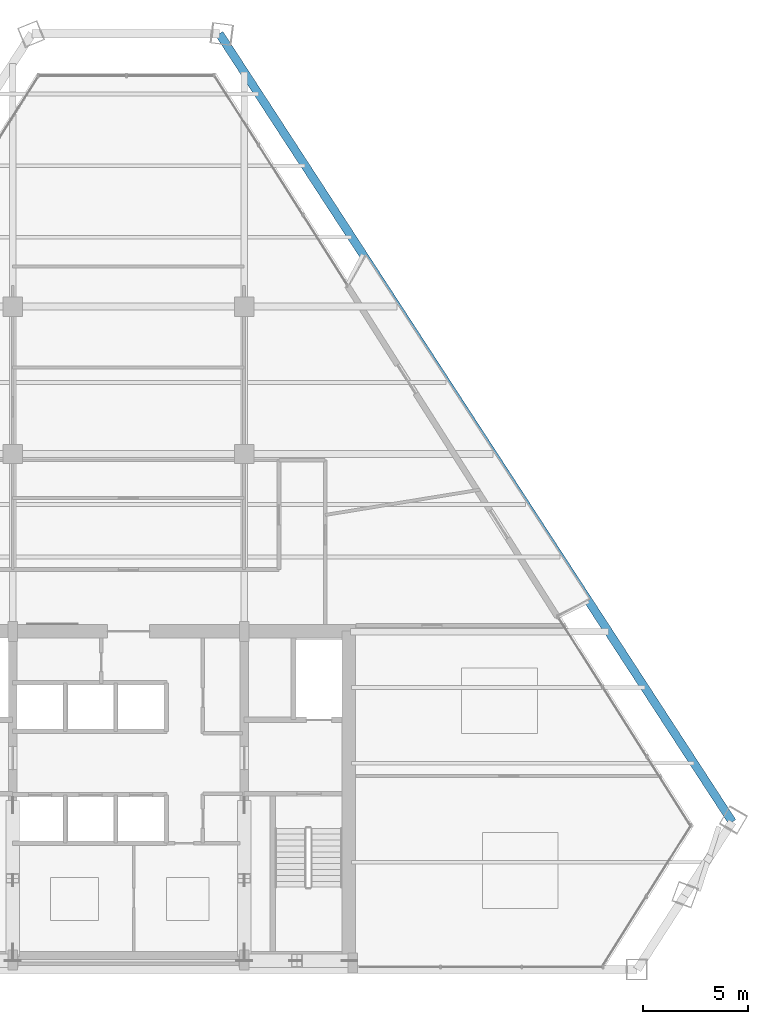
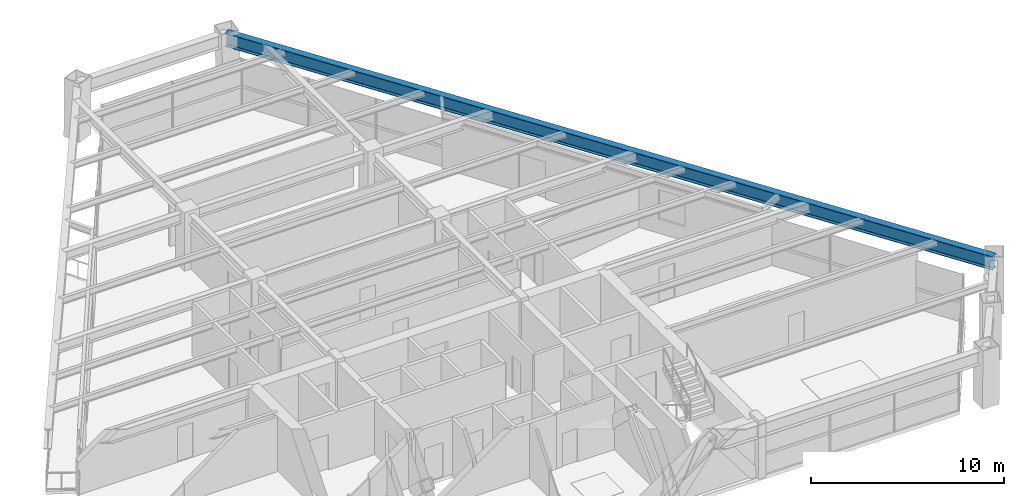
# One storey, part 7 of 15: 1 beam.
"""IFC4 building model written with IfcOpenShell, lengths in metres."""

from ifc_helpers import new_model, si_unit, direction, frame, origin, origin_2d, place, context, subcontext, project, spatial, i_section, extrude, source, transform, mapped, material, material_profile, profile_set, type_object, element, save


model = new_model("IFC4")

# Units and contexts
model_context = context("Model", 3, precision=1e-05, world=origin(), true_north=direction((0.0, 1.0)))
body_context = subcontext(model_context, "Body", "Model", "MODEL_VIEW")
ifc_project = project(units=[si_unit("LENGTHUNIT", "METRE"), si_unit("AREAUNIT", "SQUARE_METRE"), si_unit("VOLUMEUNIT", "CUBIC_METRE"), si_unit("PLANEANGLEUNIT", "RADIAN"), si_unit("MASSUNIT", "GRAM", prefix="KILO")], contexts=[model_context])

# Site, building, storey
site_placement = place(None, origin())
site = spatial("IfcSite", under=ifc_project, at=site_placement, CompositionType="ELEMENT")
building_placement = place(site_placement, origin())
building = spatial("IfcBuilding", under=site, at=building_placement, Name="Varnakhor Terracotta Tower", CompositionType="ELEMENT")
storey_placement = place(building_placement, frame((0.0, 0.0, 171.0)))
storey = spatial("IfcBuildingStorey", under=building, at=storey_placement, Name="L43", CompositionType="ELEMENT", Elevation=171.0)

# Beam
ifc_material = material(Name="Steel S355", Category="steel")
ifc_material_profile = material_profile(ifc_material, i_section(OverallWidth=0.39990234375, OverallDepth=0.85498046875, WebThickness=0.01806640625, FlangeThickness=0.029052734375, FilletRadius=0.01806640625, at=origin_2d()), Name="W33X201")
ifc_profile_set = profile_set([ifc_material_profile], Name="Steel S355")
beam_type = type_object("IfcBeamType", Name="BM-W33X201", PredefinedType="BEAM", material=ifc_profile_set)
shared_shape = source(origin(), body_context, "Body", "SweptSolid", [
    extrude(i_section(OverallWidth=0.39990234375, OverallDepth=0.85498046875, WebThickness=0.01806640625, FlangeThickness=0.029052734375, FilletRadius=0.01806640625, at=origin_2d()), origin(), (0.0, 0.0, 1.0), 44.68994140625),
])
beam_placement = place(storey_placement, frame((28.693115234375, 7.012939453125, 3.04248046875), z_axis=(-0.545441632155, 0.838148808931, 0.0), x_axis=(-0.838148808931, -0.545441632155, 0.0)))
element("IfcBeam", 1, at=beam_placement, inside=storey, type_object=beam_type, Name="L43 Perimeter Spandrel 4", PredefinedType="BEAM", context=body_context, shape_type="MappedRepresentation", body=[
    mapped(shared_shape, transform((0.0, 0.0, 0.0), scale=1.0)),
])

save(model, "model.ifc")
